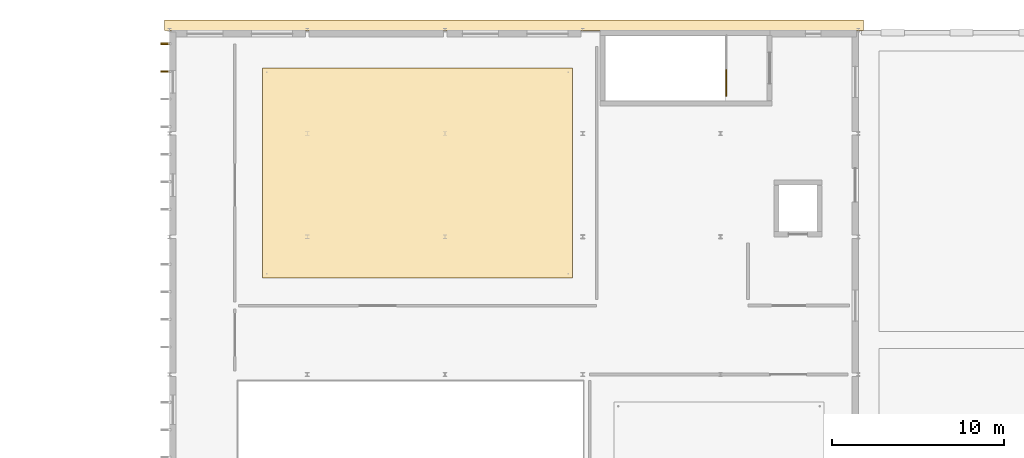
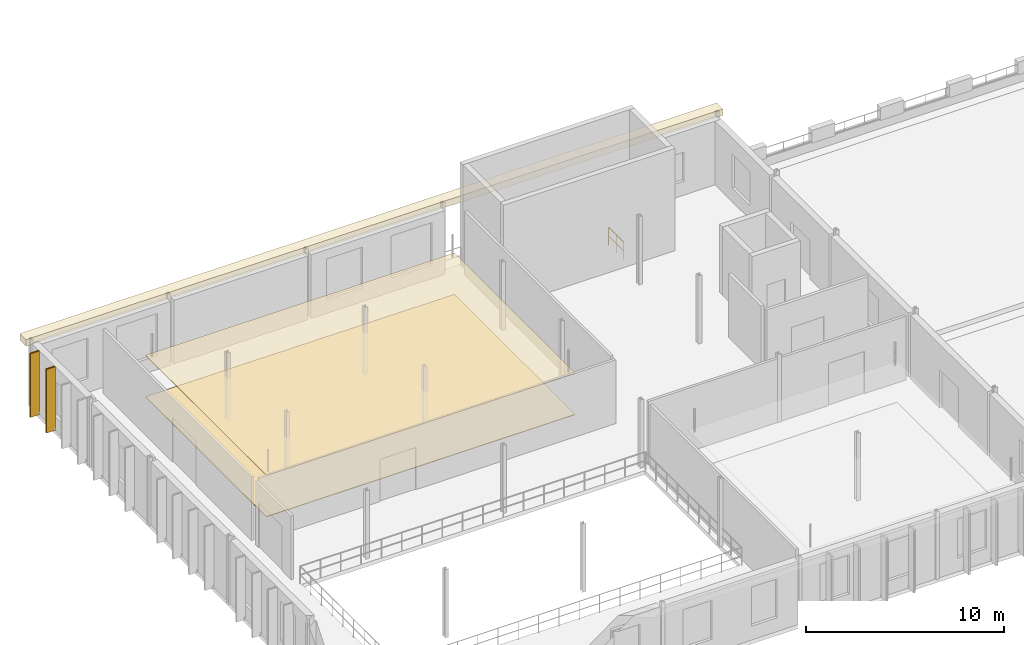
# One storey, part 63 of 67: 5 coverings, 2 shading devices, 1 railing.
"""IFC4 building model written with IfcOpenShell, lengths in metres."""

from ifc_helpers import new_model, si_unit, direction, frame, origin, origin_2d, place, context, subcontext, project, spatial, polyline, rectangle, circle, outline, extrude, material, layer, layer_set, type_object, element, save


model = new_model("IFC4")

# Units and contexts
model_context = context("Model", 3, precision=1e-05, world=origin(), true_north=direction((0.0, 1.0)))
body_context = subcontext(model_context, "Body", "Model", "MODEL_VIEW")
ifc_project = project(units=[si_unit("LENGTHUNIT", "METRE"), si_unit("AREAUNIT", "SQUARE_METRE"), si_unit("VOLUMEUNIT", "CUBIC_METRE"), si_unit("PLANEANGLEUNIT", "RADIAN"), si_unit("MASSUNIT", "GRAM", prefix="KILO")], contexts=[model_context])

# Site, building, storey
site_placement = place(None, origin())
site = spatial("IfcSite", under=ifc_project, at=site_placement, CompositionType="ELEMENT")
building_placement = place(site_placement, origin())
building = spatial("IfcBuilding", under=site, at=building_placement, Name="Sundkrona Museum", CompositionType="ELEMENT")
storey_placement = place(building_placement, frame((0.0, 0.0, 21.800048828125)))
storey = spatial("IfcBuildingStorey", under=building, at=storey_placement, Name="L04", CompositionType="ELEMENT", Elevation=21.800048828125)

# Coverings
ifc_material_1 = material(Name="Perforated Acoustic Gypsum and Mineral Wool Ceiling", Category="other")
ifc_layer_1 = layer(ifc_material_1, 0.0400390625)
ifc_layer_set_1 = layer_set([ifc_layer_1], Name="Perforated Acoustic Gypsum and Mineral Wool Ceiling")
covering_type_1 = type_object("IfcCoveringType", Name="COV-CEIL-AC", PredefinedType="CEILING", material=ifc_layer_set_1)
covering_1_placement = place(storey_placement, frame((0.0, 0.0, 2.550048828125)))
element("IfcCovering", 1, at=covering_1_placement, inside=storey, type_object=covering_type_1, Name="L04 Design and Architecture Cabinet Acoustic Ceiling", PredefinedType="CEILING", context=body_context, shape_type="SweptSolid", body=[
    extrude(outline(polyline([(21.39990234375, 99.60009765625), (39.39990234375, 99.60009765625), (39.39990234375, 111.800048828125), (21.39990234375, 111.800048828125), (21.39990234375, 99.60009765625)])), origin(), (0.0, 0.0, 1.0), 0.039794921875),
])
ifc_material_2 = material(Name="Frost-Resistant Vitrified Stoneware Mosaic Cladding", Category="masonry")
ifc_layer_2 = layer(ifc_material_2, 0.044921875)
ifc_layer_set_2 = layer_set([ifc_layer_2], Name="Frost-Resistant Vitrified Stoneware Mosaic Cladding")
covering_type_2 = type_object("IfcCoveringType", Name="COV-CLD-MOS", PredefinedType="CLADDING", material=ifc_layer_set_2)
for number, where, z_axis, x_axis, name in (
    (2, (15.7451171875, 111.60009765625, 0.0), (0.0, 0.0, 1.0), (1.0, 0.0, 0.0), "L04 Vitrified Ceramic Brise-Soleil Casing W-254"),
    (3, (15.7451171875, 113.199951171875, 0.0), (0.0, 0.0, 1.0), (1.0, 0.0, 0.0), "L04 Vitrified Ceramic Brise-Soleil Casing W-255"),
):
    element("IfcCovering", number, at=place(storey_placement, frame(where, z_axis=z_axis, x_axis=x_axis)), inside=storey, type_object=covering_type_2, Name=name, PredefinedType="CLADDING", context=body_context, shape_type="SweptSolid", body=[
        extrude(rectangle(XDim=0.530029296875, YDim=0.110107421875, at=origin_2d()), origin(), (0.0, 0.0, 1.0), 3.919921875),
    ])
covering_2_placement = place(storey_placement, frame((36.0, 114.280029296875, 3.820068359375), z_axis=(0.0, 0.0, 1.0), x_axis=(1.0, 0.0, 0.0)))
element("IfcCovering", 4, at=covering_2_placement, inside=storey, type_object=covering_type_2, Name="Classical Corbelled Terracotta Cornice (CRN-V3-EAVE-N)", PredefinedType="CLADDING", context=body_context, shape_type="SweptSolid", body=[
    extrude(rectangle(XDim=40.60009765625, YDim=0.6201171875, at=origin_2d()), origin(), (0.0, 0.0, 1.0), 0.39990234375),
])
ifc_material_3 = material(Name="Polished Scanian Limestone Terrazzo Flooring", Category="masonry")
ifc_layer_3 = layer(ifc_material_3, 0.034912109375)
ifc_layer_set_3 = layer_set([ifc_layer_3], Name="Polished Scanian Limestone Terrazzo Flooring")
covering_type_3 = type_object("IfcCoveringType", Name="COV-FLR-TZ", PredefinedType="FLOORING", material=ifc_layer_set_3)
covering_3_placement = place(storey_placement, origin())
element("IfcCovering", 5, at=covering_3_placement, inside=storey, type_object=covering_type_3, Name="L04 Design and Architecture Cabinet Terrazzo Flooring", PredefinedType="FLOORING", context=body_context, shape_type="SweptSolid", body=[
    extrude(outline(polyline([(21.39990234375, 99.60009765625), (39.39990234375, 99.60009765625), (39.39990234375, 111.800048828125), (21.39990234375, 111.800048828125), (21.39990234375, 99.60009765625)])), origin(), (0.0, 0.0, 1.0), 0.034912109375),
])

# Shading devices
ifc_material_4 = material(Name="Vitrified Stoneware Ceramic on Galvanised Steel Core", Category="masonry")
ifc_layer_4 = layer(ifc_material_4, 0.080078125)
ifc_layer_set_4 = layer_set([ifc_layer_4], Name="Vitrified Stoneware Ceramic on Galvanised Steel Core")
shading_device_type = type_object("IfcShadingDeviceType", Name="FIN-CER-520", PredefinedType="USERDEFINED", material=ifc_layer_set_4)
for number, where, z_axis, x_axis, name in (
    (6, (15.739990234375, 111.60009765625, 0.0), (0.0, 0.0, 1.0), (1.0, 0.0, 0.0), "L04 Ceramic Brise-Soleil Fin W-254"),
    (7, (15.739990234375, 113.199951171875, 0.0), (0.0, 0.0, 1.0), (1.0, 0.0, 0.0), "L04 Ceramic Brise-Soleil Fin W-255"),
):
    element("IfcShadingDevice", number, at=place(storey_placement, frame(where, z_axis=z_axis, x_axis=x_axis)), inside=storey, type_object=shading_device_type, Name=name, ObjectType="SOLAR FIN", PredefinedType="USERDEFINED", context=body_context, shape_type="SweptSolid", body=[
        extrude(rectangle(XDim=0.52001953125, YDim=0.080078125, at=origin_2d()), origin(), (0.0, 0.0, 1.0), 3.919921875),
    ])

# Railing
ifc_material_5 = material(Name="Painted Steel S355J2 and Laminated Glass Balustrade", Category="steel")
railing_type = type_object("IfcRailingType", Name="RL-GUARD-1100", PredefinedType="BALUSTRADE", material=ifc_material_5)
railing_placement = place(storey_placement, frame((48.3349609375, 110.179931640625, 0.0)))
element("IfcRailing", 8, at=railing_placement, inside=storey, type_object=railing_type, Name="L04 Edge Protection Balustrade 004", PredefinedType="BALUSTRADE", context=body_context, shape_type="SweptSolid", body=[
    extrude(circle(Radius=0.02392578125, at=origin_2d()), frame((0.0, 0.0, 1.09619140625), z_axis=(0.0, 1.0, 0.0), x_axis=(-1.0, 0.0, 0.0)), (0.0, 0.0, 1.0), 1.52001953125),
    extrude(circle(Radius=0.02392578125, at=origin_2d()), frame((0.0, 0.0, 0.56005859375), z_axis=(0.0, 1.0, 0.0), x_axis=(-1.0, 0.0, 0.0)), (0.0, 0.0, 1.0), 1.52001953125),
    extrude(circle(Radius=0.02099609375, at=origin_2d()), origin(), (0.0, 0.0, 1.0), 1.072021484375),
    extrude(circle(Radius=0.02099609375, at=origin_2d()), frame((0.0, 0.760009765625, 0.0)), (0.0, 0.0, 1.0), 1.072021484375),
    extrude(circle(Radius=0.02099609375, at=origin_2d()), frame((0.0, 1.52001953125, 0.0)), (0.0, 0.0, 1.0), 1.072021484375),
])

save(model, "model.ifc")
